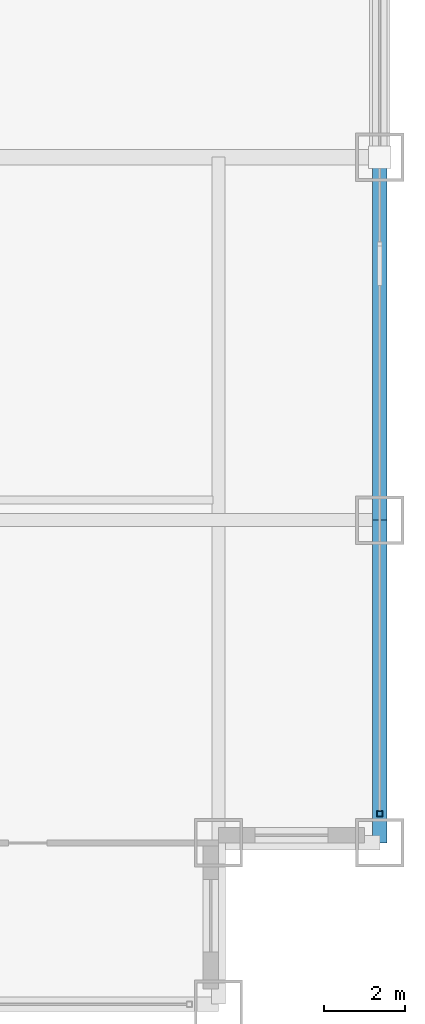
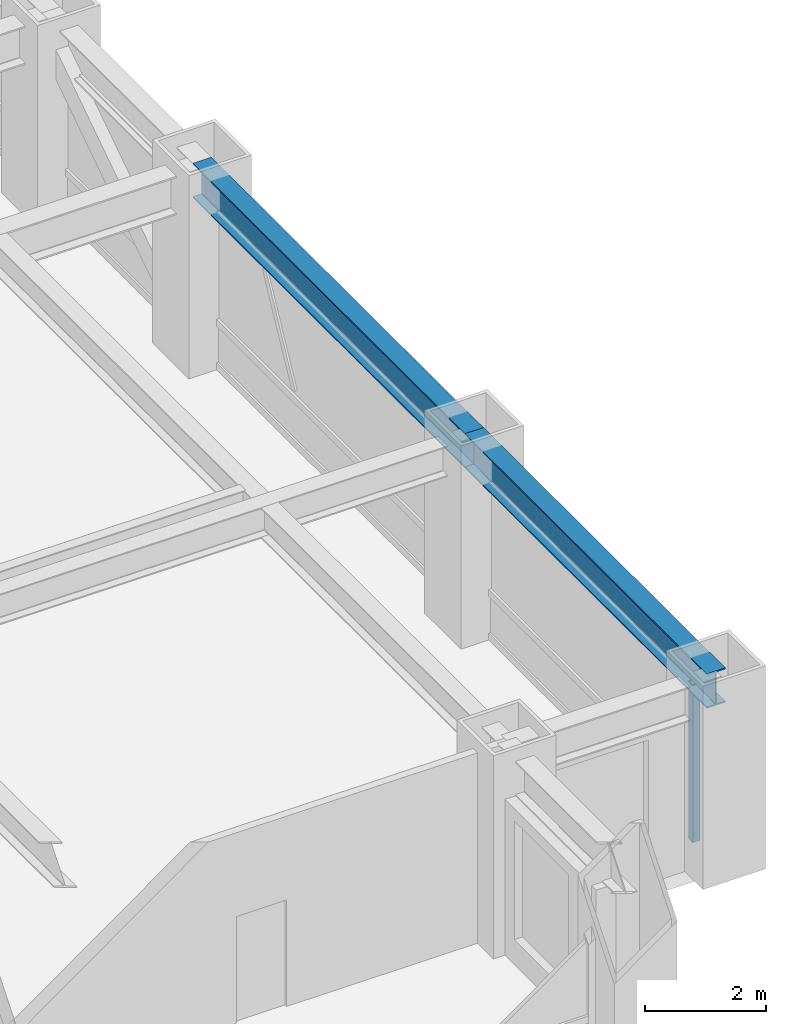
# One storey, part 12 of 27: 2 beams, 1 member, 1 element without a shape of its own.
"""IFC4 building model written with IfcOpenShell, lengths in metres."""

from ifc_helpers import new_model, si_unit, direction, frame, origin, origin_2d, place, context, subcontext, project, spatial, hollow_rectangle, i_section, extrude, source, transform, mapped, material, material_profile, profile_set, type_object, element, aggregate, save


model = new_model("IFC4")

# Units and contexts
model_context = context("Model", 3, precision=1e-05, world=origin(), true_north=direction((0.0, 1.0)))
body_context = subcontext(model_context, "Body", "Model", "MODEL_VIEW")
ifc_project = project(units=[si_unit("LENGTHUNIT", "METRE"), si_unit("AREAUNIT", "SQUARE_METRE"), si_unit("VOLUMEUNIT", "CUBIC_METRE"), si_unit("PLANEANGLEUNIT", "RADIAN"), si_unit("MASSUNIT", "GRAM", prefix="KILO")], contexts=[model_context])

# Site, building, storey
site_placement = place(None, origin())
site = spatial("IfcSite", under=ifc_project, at=site_placement, CompositionType="ELEMENT")
building_placement = place(site_placement, origin())
building = spatial("IfcBuilding", under=site, at=building_placement, Name="Khorayat Bourse Tower", CompositionType="ELEMENT")
storey_placement = place(building_placement, frame((0.0, 0.0, 111.89990234375)))
storey = spatial("IfcBuildingStorey", under=building, at=storey_placement, Name="L25", CompositionType="ELEMENT", Elevation=111.89990234375)

# Beams
ifc_material_1 = material(Name="Steel ASTM A992 Grade 50", Category="steel")
ifc_material_profile_1 = material_profile(ifc_material_1, i_section(OverallWidth=0.35498046875, OverallDepth=0.695068359375, WebThickness=0.015380859375, FlangeThickness=0.02490234375, FilletRadius=0.01806640625, at=origin_2d()), Name="W690X217")
ifc_profile_set_1 = profile_set([ifc_material_profile_1], Name="Steel ASTM A992 Grade 50")
beam_type = type_object("IfcBeamType", Name="BM-SPAN-690", PredefinedType="SPANDREL", material=ifc_profile_set_1)
shared_shape_1 = source(origin(), body_context, "Body", "SweptSolid", [
    extrude(i_section(OverallWidth=0.35498046875, OverallDepth=0.695068359375, WebThickness=0.015380859375, FlangeThickness=0.02490234375, FilletRadius=0.01806640625, at=origin_2d()), origin(), (0.0, 0.0, 1.0), 9.0),
])
beam_1_placement = place(storey_placement, frame((32.0, -20.0, 3.49267578125), z_axis=(0.0, 1.0, 0.0), x_axis=(-1.0, 0.0, 0.0)))
element("IfcBeam", 1, at=beam_1_placement, inside=storey, type_object=beam_type, Name="L25 BM-SPAN-690 BM-L25-SPN-035", PredefinedType="SPANDREL", context=body_context, shape_type="MappedRepresentation", body=[
    mapped(shared_shape_1, transform((0.0, 0.0, 0.0), scale=1.0)),
])
shared_shape_2 = source(origin(), body_context, "Body", "SweptSolid", [
    extrude(i_section(OverallWidth=0.35498046875, OverallDepth=0.695068359375, WebThickness=0.015380859375, FlangeThickness=0.02490234375, FilletRadius=0.01806640625, at=origin_2d()), origin(), (0.0, 0.0, 1.0), 8.0),
])
beam_2_placement = place(storey_placement, frame((32.0, -28.0, 3.49267578125), z_axis=(0.0, 1.0, 0.0), x_axis=(-1.0, 0.0, 0.0)))
element("IfcBeam", 2, at=beam_2_placement, inside=storey, type_object=beam_type, Name="L25 BM-SPAN-690 BM-L25-SPN-034", PredefinedType="SPANDREL", context=body_context, shape_type="MappedRepresentation", body=[
    mapped(shared_shape_2, transform((0.0, 0.0, 0.0), scale=1.0)),
])

# Curtain wall, member
ifc_material_2 = material(Name="Aluminium EN AW-6063 T6", Category="aluminium")
curtain_wall_type = type_object("IfcCurtainWallType", Name="CW-SYS-02", PredefinedType="NOTDEFINED", material=ifc_material_2)
curtain_wall_placement = place(storey_placement, origin())
curtain_wall = element("IfcCurtainWall", 3, at=curtain_wall_placement, inside=storey, type_object=curtain_wall_type, Name="L25 Curtain Wall CW-L25-E1", PredefinedType="NOTDEFINED")
ifc_material_profile_2 = material_profile(ifc_material_2, hollow_rectangle(XDim=0.139892578125, YDim=0.139892578125, WallThickness=0.006103515625, at=origin_2d()), Name="ALU 140x140x6")
ifc_profile_set_2 = profile_set([ifc_material_profile_2], Name="Aluminium EN AW-6063 T6")
member_type = type_object("IfcMemberType", Name="CWM-VERT-140", PredefinedType="MULLION", material=ifc_profile_set_2)
shared_shape_3 = source(origin(), body_context, "Body", "SweptSolid", [
    extrude(hollow_rectangle(XDim=0.139892578125, YDim=0.139892578125, WallThickness=0.006103515625, at=origin_2d()), origin(), (0.0, 0.0, 1.0), 3.190185546875),
])
member_placement = place(storey_placement, frame((32.0, -27.280029296875, 0.0), z_axis=(0.0, 0.0, 1.0), x_axis=(-1.0, 0.0, 0.0)))
member = element("IfcMember", 4, at=member_placement, type_object=member_type, Name="CW-L25-E1 Vertical Mullion 1", PredefinedType="MULLION", context=body_context, shape_type="MappedRepresentation", body=[
    mapped(shared_shape_3, transform((0.0, 0.0, 0.0), scale=1.0)),
])
aggregate(curtain_wall, [member])

save(model, "model.ifc")
